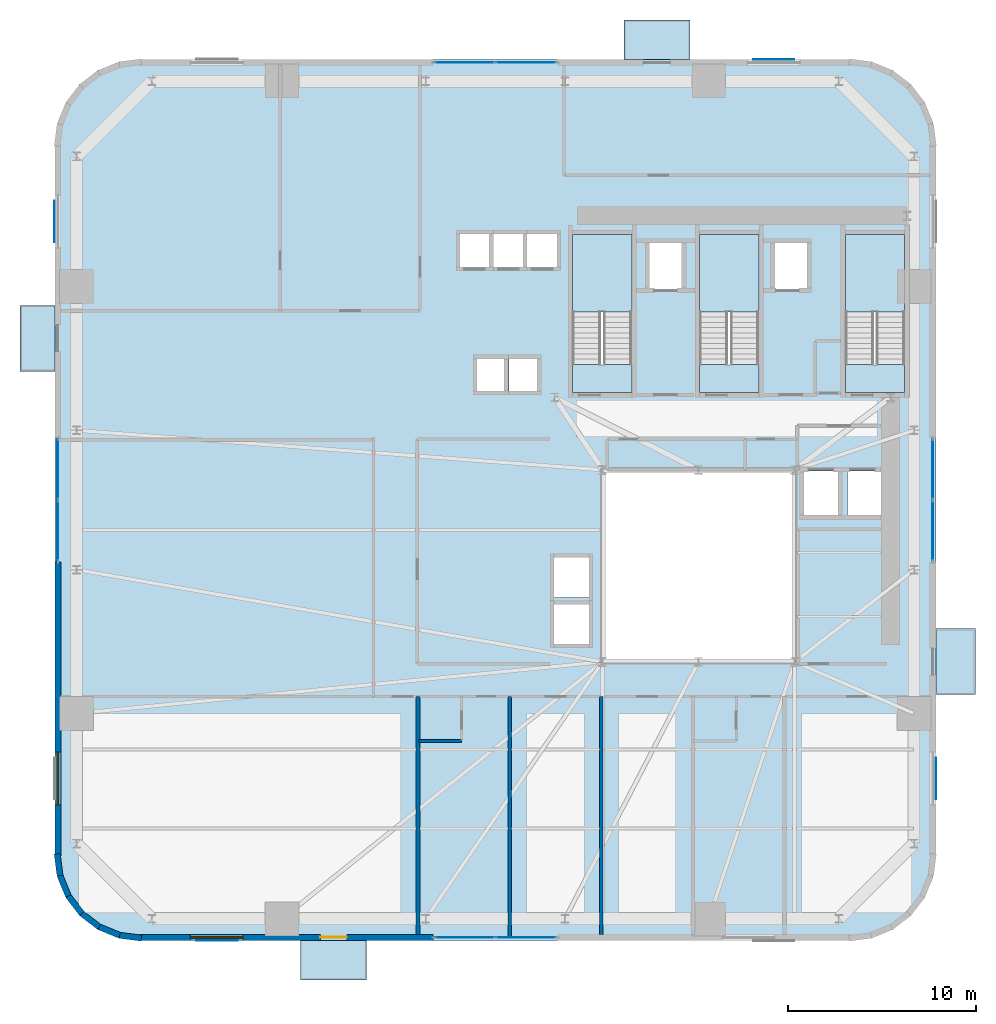
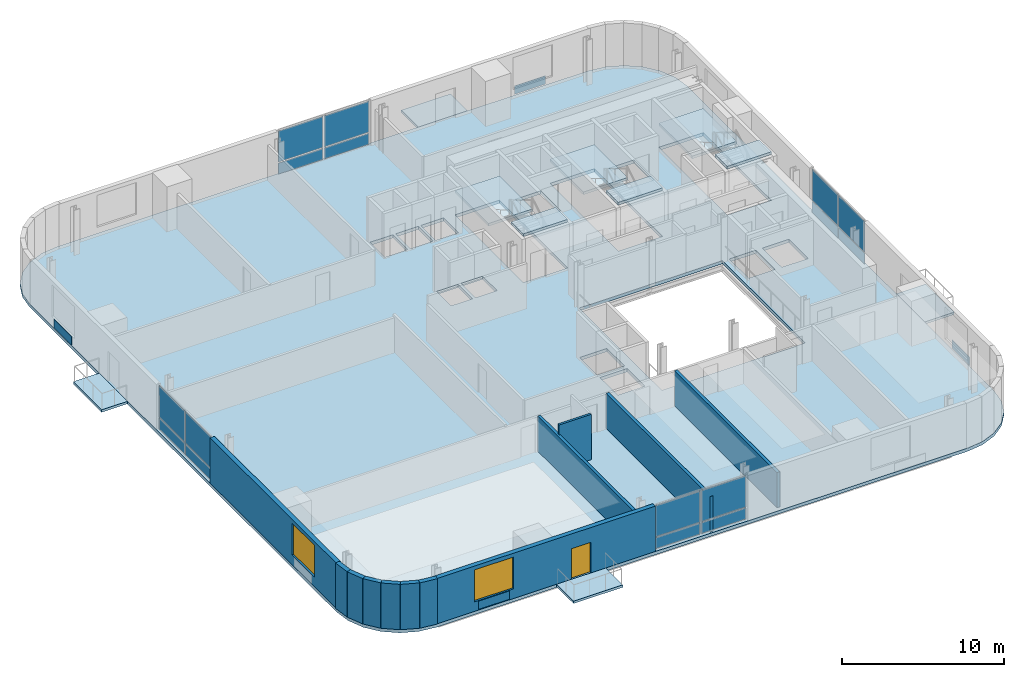
# One storey, part 5 of 13: 20 plates, 12 walls, 11 slabs, 2 windows, 1 door, 3 openings, 7 elements without a shape of their own.
"""IFC4 building model written with IfcOpenShell, lengths in metres."""

import ifcopenshell
import ifcopenshell.guid

model = None  # the IFC model being written
_history = None  # IfcOwnerHistory: only IFC2X3 demands one
_inside = {}  # id of a spatial element -> (the spatial element, [elements in it])
_under = {}  # id of a project, library or spatial element -> (it, [spatial elements below it])
_declared = {}  # id of a project -> (the project, [libraries it declares])
_typed = {}  # id of a type object -> (the type object, [elements of that type])
_made_of = {}  # id of a material, layer set ... -> (it, [elements and type objects made of it])


def new_model(schema):
    """Start an empty IFC model of exactly this schema.

    Asked for "IFC4X3", IfcOpenShell would pick the latest addendum, in which some entities
    have other attributes; the version numbers below select the first issue.
    IFC2X3 requires an IfcOwnerHistory on every rooted entity: one is made here for all.
    """
    global model, _history
    if schema == "IFC4X3":
        model = ifcopenshell.file(schema_version=(4, 3, 0, 0))
    else:
        model = ifcopenshell.file(schema=schema)
    _inside.clear()
    _under.clear()
    _declared.clear()
    _typed.clear()
    _made_of.clear()
    _history = None
    if model.schema == "IFC2X3":
        org = make("IfcOrganization", Name="unknown")
        user = make(
            "IfcPersonAndOrganization",
            ThePerson=make("IfcPerson", FamilyName="unknown"),
            TheOrganization=org,
        )
        app = make(
            "IfcApplication",
            ApplicationDeveloper=org,
            Version="unknown",
            ApplicationFullName="unknown",
            ApplicationIdentifier="unknown",
        )
        _history = make(
            "IfcOwnerHistory",
            OwningUser=user,
            OwningApplication=app,
            ChangeAction="ADDED",
            CreationDate=0,
        )
    return model


def make(cls, **values):
    """One entity of the class cls with the attributes given. An attribute that is None is left unset."""
    return model.create_entity(
        cls, **{name: value for name, value in values.items() if value is not None}
    )


def rooted(cls, **values):
    """An entity with a GlobalId (a new one), such as an element, a storey or a relation."""
    return make(cls, GlobalId=ifcopenshell.guid.new(), OwnerHistory=_history, **values)


def si_unit(unit_type, name, prefix=None):
    """IfcSIUnit, for example si_unit("LENGTHUNIT", "METRE", prefix="MILLI")."""
    return make("IfcSIUnit", UnitType=unit_type, Prefix=prefix, Name=name)


def assignment(units):
    """IfcUnitAssignment: the units of a project."""
    return None if units is None else make("IfcUnitAssignment", Units=units)


def point(xyz):
    """IfcCartesianPoint."""
    return None if xyz is None else make("IfcCartesianPoint", Coordinates=xyz)


def direction(xyz):
    """IfcDirection."""
    return None if xyz is None else make("IfcDirection", DirectionRatios=xyz)


def frame(location, z_axis=None, x_axis=None):
    """IfcAxis2Placement3D, a coordinate frame: its origin and axes. An axis left out is left unset."""
    return make(
        "IfcAxis2Placement3D",
        Location=point(location),
        Axis=direction(z_axis),
        RefDirection=direction(x_axis),
    )


def frame_2d(location, x_axis=None):
    """IfcAxis2Placement2D, a coordinate frame in the plane: its origin and x axis."""
    return make(
        "IfcAxis2Placement2D", Location=point(location), RefDirection=direction(x_axis)
    )


def origin():
    """The frame at (0, 0, 0) with its axes left unset."""
    return frame((0.0, 0.0, 0.0))


def origin_2d():
    """The frame at (0, 0) in the plane with its x axis left unset."""
    return frame_2d((0.0, 0.0))


def place(relative_to, where):
    """IfcLocalPlacement: puts the frame where relative to a parent placement (None: the world)."""
    return make(
        "IfcLocalPlacement", PlacementRelTo=relative_to, RelativePlacement=where
    )


def context(
    kind, dimensions, precision=None, world=None, true_north=None, identifier=None
):
    """IfcGeometricRepresentationContext, for example the 3D "Model" context."""
    return make(
        "IfcGeometricRepresentationContext",
        ContextIdentifier=identifier,
        ContextType=kind,
        CoordinateSpaceDimension=dimensions,
        Precision=precision,
        WorldCoordinateSystem=world,
        TrueNorth=true_north,
    )


def subcontext(parent, identifier, kind, view, scale=None):
    """IfcGeometricRepresentationSubContext, for example "Body" below "Model"."""
    return make(
        "IfcGeometricRepresentationSubContext",
        ContextIdentifier=identifier,
        ContextType=kind,
        ParentContext=parent,
        TargetScale=scale,
        TargetView=view,
    )


def project(units=None, contexts=None):
    """IfcProject with its units and contexts."""
    return rooted(
        "IfcProject",
        Name="project",
        RepresentationContexts=contexts,
        UnitsInContext=assignment(units),
    )


def spatial(cls, under=None, at=None, **own):
    """A site, building, storey or space (cls), placed at a placement, below another one or the project."""
    s = rooted(cls, ObjectPlacement=at, **own)
    if under is not None:
        _under.setdefault(under.id(), (under, []))[1].append(s)
    return s


def polyline(points):
    """IfcPolyline through the points."""
    return make("IfcPolyline", Points=[point(p) for p in points])


def profile(cls, at=None, kind="AREA", **sizes):
    """A parametric profile (cls). Its sizes go by their IFC names, for example OverallWidth=200.0."""
    return make(cls, ProfileType=kind, Position=at, **sizes)


def rectangle(**sizes):
    """IfcRectangleProfileDef."""
    return profile("IfcRectangleProfileDef", **sizes)


def outline(outer, holes=None, kind="AREA"):
    """IfcArbitraryClosedProfileDef: a profile drawn as a closed curve; with holes, ...WithVoids."""
    if holes is None:
        return make("IfcArbitraryClosedProfileDef", ProfileType=kind, OuterCurve=outer)
    return make(
        "IfcArbitraryProfileDefWithVoids",
        ProfileType=kind,
        OuterCurve=outer,
        InnerCurves=holes,
    )


def extrude(swept, where, along, depth):
    """IfcExtrudedAreaSolid: the profile swept, set in the frame where, extruded along a direction by depth."""
    return make(
        "IfcExtrudedAreaSolid",
        SweptArea=swept,
        Position=where,
        ExtrudedDirection=direction(along),
        Depth=depth,
    )


def shape(context_of_items, identifier, shape_type, items):
    """IfcShapeRepresentation: the items that make up one representation, for example the "Body"."""
    return make(
        "IfcShapeRepresentation",
        ContextOfItems=context_of_items,
        RepresentationIdentifier=identifier,
        RepresentationType=shape_type,
        Items=items,
    )


def source(mapping_origin, context_of_items, identifier, shape_type, items):
    """IfcRepresentationMap: a shape defined once, which mapped items show again and again."""
    return make(
        "IfcRepresentationMap",
        MappingOrigin=mapping_origin,
        MappedRepresentation=shape(context_of_items, identifier, shape_type, items),
    )


def transform(
    local_origin,
    x_axis=None,
    y_axis=None,
    z_axis=None,
    scale=None,
    scale2=None,
    scale3=None,
    uniform=True,
):
    """IfcCartesianTransformationOperator3D, or its non-uniform kind. x_axis, y_axis, z_axis: its Axis1, 2, 3."""
    if uniform:
        return make(
            "IfcCartesianTransformationOperator3D",
            Axis1=direction(x_axis),
            Axis2=direction(y_axis),
            LocalOrigin=point(local_origin),
            Scale=scale,
            Axis3=direction(z_axis),
        )
    return make(
        "IfcCartesianTransformationOperator3DnonUniform",
        Axis1=direction(x_axis),
        Axis2=direction(y_axis),
        LocalOrigin=point(local_origin),
        Scale=scale,
        Axis3=direction(z_axis),
        Scale2=scale2,
        Scale3=scale3,
    )


def mapped(mapping_source, mapping_target):
    """IfcMappedItem: shows the shape of a source again, moved by a transform."""
    return make(
        "IfcMappedItem", MappingSource=mapping_source, MappingTarget=mapping_target
    )


def material(Name=None, Category=None):
    """IfcMaterial."""
    return make("IfcMaterial", Name=Name, Category=Category)


def layer(
    of_material, thickness, ventilated=None, Name=None, Category=None, Priority=None
):
    """IfcMaterialLayer: one layer of a wall or slab, of a material (None: an air gap)."""
    return make(
        "IfcMaterialLayer",
        Material=of_material,
        LayerThickness=thickness,
        IsVentilated=ventilated,
        Name=Name,
        Category=Category,
        Priority=Priority,
    )


def layer_set(layers, Name=None):
    """IfcMaterialLayerSet."""
    return make("IfcMaterialLayerSet", MaterialLayers=layers, LayerSetName=Name)


def made_of(thing, what):
    """Note that an element or type object is made of a material, layer set ...; save() writes the relation."""
    if what is not None:
        _made_of.setdefault(what.id(), (what, []))[1].append(thing)
    return thing


def type_object(cls, material=None, **own):
    """A type object (cls), such as IfcWallType, which elements share."""
    return made_of(rooted(cls, **own), material)


def element(
    cls,
    number,
    at=None,
    inside=None,
    cuts=None,
    type_object=None,
    material=None,
    context=None,
    identifier="Body",
    shape_type=None,
    held_by="IfcProductDefinitionShape",
    body=None,
    shapes=None,
    **own,
):
    """One element of the class cls, such as IfcWall. Its Tag is "e" and its number.

    at: its placement. inside: the storey or other place that contains it. cuts: it is an
    opening in that element (IfcRelVoidsElement). A single representation is given by context,
    identifier, shape_type and body (its items); several are given by shapes. held_by: the class
    of the entity that holds the representations. save() writes the other relations.
    """
    e = rooted(cls, Tag="e%d" % number, ObjectPlacement=at, **own)
    if body is not None:
        shapes = [shape(context, identifier, shape_type, body)]
    if shapes is not None:
        e.Representation = make(held_by, Representations=shapes)
    if inside is not None:
        _inside.setdefault(inside.id(), (inside, []))[1].append(e)
    if cuts is not None:
        rooted(
            "IfcRelVoidsElement", RelatingBuildingElement=cuts, RelatedOpeningElement=e
        )
    if type_object is not None:
        _typed.setdefault(type_object.id(), (type_object, []))[1].append(e)
    return made_of(e, material)


def fill(opening, filler):
    """IfcRelFillsElement: the door or window that sits in an opening."""
    return rooted(
        "IfcRelFillsElement",
        RelatingOpeningElement=opening,
        RelatedBuildingElement=filler,
    )


def aggregate(whole, parts):
    """IfcRelAggregates: a whole, such as a stair, and the parts it consists of."""
    return rooted("IfcRelAggregates", RelatingObject=whole, RelatedObjects=parts)


def save(model, path):
    """Write the relations noted so far, then the file.

    IfcRelAggregates (storeys below a building ...), IfcRelContainedInSpatialStructure (elements
    in a storey), IfcRelDefinesByType, IfcRelAssociatesMaterial and IfcRelDeclares: one each for
    every whole, place, type object, material and project.
    """
    for whole, parts in _under.values():
        aggregate(whole, parts)
    for where, things in _inside.values():
        rooted(
            "IfcRelContainedInSpatialStructure",
            RelatedElements=things,
            RelatingStructure=where,
        )
    for kind, things in _typed.values():
        rooted("IfcRelDefinesByType", RelatedObjects=things, RelatingType=kind)
    for what, things in _made_of.values():
        rooted("IfcRelAssociatesMaterial", RelatedObjects=things, RelatingMaterial=what)
    for by, libraries in _declared.values():
        rooted("IfcRelDeclares", RelatingContext=by, RelatedDefinitions=libraries)
    model.write(path)


model = new_model("IFC4")

# Units and contexts
model_context = context("Model", 3, precision=1e-05, world=origin(), true_north=direction((0.0, 1.0)))
body_context = subcontext(model_context, "Body", "Model", "MODEL_VIEW")
ifc_project = project(units=[si_unit("LENGTHUNIT", "METRE"), si_unit("AREAUNIT", "SQUARE_METRE"), si_unit("VOLUMEUNIT", "CUBIC_METRE"), si_unit("PLANEANGLEUNIT", "RADIAN"), si_unit("MASSUNIT", "GRAM", prefix="KILO")], contexts=[model_context])

# Site, building, storey
site_placement = place(None, origin())
site = spatial("IfcSite", under=ifc_project, at=site_placement, CompositionType="ELEMENT")
building_placement = place(site_placement, origin())
building = spatial("IfcBuilding", under=site, at=building_placement, Name="Vardaveli Station Tower", CompositionType="ELEMENT")
storey_placement = place(building_placement, frame((0.0, 0.0, 49.5)))
storey = spatial("IfcBuildingStorey", under=building, at=storey_placement, Name="L12", CompositionType="ELEMENT", Elevation=49.5)

# Stair, slabs
ifc_material_1 = material(Name="Concrete C40/50", Category="concrete")
stair_type = type_object("IfcStairType", Name="STR-CORE-1500", PredefinedType="HALF_TURN_STAIR", material=ifc_material_1)
stair_1_placement = place(storey_placement, origin())
stair_1 = element("IfcStair", 1, at=stair_1_placement, inside=storey, type_object=stair_type, Name="L12 ST-1", PredefinedType="HALF_TURN_STAIR")
ifc_layer_1 = layer(ifc_material_1, 0.199951171875, Name="Concrete C40/50")
ifc_layer_set_1 = layer_set([ifc_layer_1], Name="Concrete C40/50")
slab_type_1 = type_object("IfcSlabType", Name="SLB-LAND-200", PredefinedType="LANDING", material=ifc_layer_set_1)
slab_1_placement = place(storey_placement, frame((0.0, 0.0, 1.625)))
slab_1 = element("IfcSlab", 2, at=slab_1_placement, type_object=slab_type_1, Name="ST-1 landing 1", PredefinedType="LANDING", context=body_context, shape_type="SweptSolid", body=[
    extrude(outline(polyline([(32.75, 35.199951171875), (32.75, 39.300048828125), (29.60009765625, 39.300048828125), (29.60009765625, 35.199951171875), (32.75, 35.199951171875)])), origin(), (0.0, 0.0, 1.0), 0.199951171875),
])
slab_2_placement = place(storey_placement, frame((0.0, 0.0, 3.449951171875)))
slab_2 = element("IfcSlab", 3, at=slab_2_placement, type_object=slab_type_1, Name="ST-1 landing 2", PredefinedType="LANDING", context=body_context, shape_type="SweptSolid", body=[
    extrude(outline(polyline([(32.75, 30.89990234375), (32.75, 32.39990234375), (29.60009765625, 32.39990234375), (29.60009765625, 30.89990234375), (32.75, 30.89990234375)])), origin(), (0.0, 0.0, 1.0), 0.199951171875),
])
aggregate(stair_1, [slab_1, slab_2])

stair_2_placement = place(storey_placement, origin())
stair_2 = element("IfcStair", 4, at=stair_2_placement, inside=storey, type_object=stair_type, Name="L12 ST-2", PredefinedType="HALF_TURN_STAIR")
slab_3_placement = place(storey_placement, frame((0.0, 0.0, 1.625)))
slab_3 = element("IfcSlab", 5, at=slab_3_placement, type_object=slab_type_1, Name="ST-2 landing 1", PredefinedType="LANDING", context=body_context, shape_type="SweptSolid", body=[
    extrude(outline(polyline([(39.5, 35.199951171875), (39.5, 39.300048828125), (36.35009765625, 39.300048828125), (36.35009765625, 35.199951171875), (39.5, 35.199951171875)])), origin(), (0.0, 0.0, 1.0), 0.199951171875),
])
slab_4_placement = place(storey_placement, frame((0.0, 0.0, 3.449951171875)))
slab_4 = element("IfcSlab", 6, at=slab_4_placement, type_object=slab_type_1, Name="ST-2 landing 2", PredefinedType="LANDING", context=body_context, shape_type="SweptSolid", body=[
    extrude(outline(polyline([(39.5, 30.89990234375), (39.5, 32.39990234375), (36.35009765625, 32.39990234375), (36.35009765625, 30.89990234375), (39.5, 30.89990234375)])), origin(), (0.0, 0.0, 1.0), 0.199951171875),
])
aggregate(stair_2, [slab_3, slab_4])

stair_3_placement = place(storey_placement, origin())
stair_3 = element("IfcStair", 7, at=stair_3_placement, inside=storey, type_object=stair_type, Name="L12 ST-3", PredefinedType="HALF_TURN_STAIR")
slab_5_placement = place(storey_placement, frame((0.0, 0.0, 1.625)))
slab_5 = element("IfcSlab", 8, at=slab_5_placement, type_object=slab_type_1, Name="ST-3 landing 1", PredefinedType="LANDING", context=body_context, shape_type="SweptSolid", body=[
    extrude(outline(polyline([(47.25, 35.199951171875), (47.25, 39.300048828125), (44.10009765625, 39.300048828125), (44.10009765625, 35.199951171875), (47.25, 35.199951171875)])), origin(), (0.0, 0.0, 1.0), 0.199951171875),
])
slab_6_placement = place(storey_placement, frame((0.0, 0.0, 3.449951171875)))
slab_6 = element("IfcSlab", 9, at=slab_6_placement, type_object=slab_type_1, Name="ST-3 landing 2", PredefinedType="LANDING", context=body_context, shape_type="SweptSolid", body=[
    extrude(outline(polyline([(47.25, 30.89990234375), (47.25, 32.39990234375), (44.10009765625, 32.39990234375), (44.10009765625, 30.89990234375), (47.25, 30.89990234375)])), origin(), (0.0, 0.0, 1.0), 0.199951171875),
])
aggregate(stair_3, [slab_5, slab_6])

# Slabs
ifc_material_2 = material(Name="Precast concrete C45/55", Category="concrete")
ifc_layer_2 = layer(ifc_material_2, 0.179931640625, Name="Precast concrete C45/55")
ifc_layer_set_2 = layer_set([ifc_layer_2], Name="Precast concrete C45/55")
slab_type_2 = type_object("IfcSlabType", Name="SLB-LOGGIA-180", PredefinedType="FLOOR", material=ifc_layer_set_2)
slab_7_placement = place(storey_placement, frame((0.0, 0.0, -0.179931640625)))
element("IfcSlab", 10, at=slab_7_placement, inside=storey, type_object=slab_type_2, Name="LOG-L12-S", PredefinedType="FLOOR", context=body_context, shape_type="SweptSolid", body=[
    extrude(outline(polyline([(15.160400390625, -0.300048828125), (18.660400390625, -0.300048828125), (18.660400390625, 1.800048828125), (15.160400390625, 1.800048828125), (15.160400390625, -0.300048828125)])), origin(), (0.0, 0.0, 1.0), 0.179931640625),
])
slab_8_placement = place(storey_placement, frame((0.0, 0.0, -0.179931640625)))
element("IfcSlab", 11, at=slab_8_placement, inside=storey, type_object=slab_type_2, Name="LOG-L12-N", PredefinedType="FLOOR", context=body_context, shape_type="SweptSolid", body=[
    extrude(outline(polyline([(32.339599609375, 48.60009765625), (35.839599609375, 48.60009765625), (35.839599609375, 50.699951171875), (32.339599609375, 50.699951171875), (32.339599609375, 48.60009765625)])), origin(), (0.0, 0.0, 1.0), 0.179931640625),
])
slab_9_placement = place(storey_placement, frame((0.0, 0.0, -0.179931640625)))
element("IfcSlab", 12, at=slab_9_placement, inside=storey, type_object=slab_type_2, Name="LOG-L12-W", PredefinedType="FLOOR", context=body_context, shape_type="SweptSolid", body=[
    extrude(outline(polyline([(0.25, 32.03955078125), (2.10009765625, 32.03955078125), (2.10009765625, 35.53955078125), (0.25, 35.53955078125), (0.25, 32.03955078125)])), origin(), (0.0, 0.0, 1.0), 0.179931640625),
])
slab_10_placement = place(storey_placement, frame((0.0, 0.0, -0.179931640625)))
element("IfcSlab", 13, at=slab_10_placement, inside=storey, type_object=slab_type_2, Name="LOG-L12-E", PredefinedType="FLOOR", context=body_context, shape_type="SweptSolid", body=[
    extrude(outline(polyline([(48.89990234375, 14.8603515625), (51.0, 14.8603515625), (51.0, 18.3603515625), (48.89990234375, 18.3603515625), (48.89990234375, 14.8603515625)])), origin(), (0.0, 0.0, 1.0), 0.179931640625),
])
ifc_layer_3 = layer(ifc_material_1, 0.239990234375, Name="Concrete C40/50")
ifc_layer_set_3 = layer_set([ifc_layer_3], Name="Concrete C40/50")
slab_type_3 = type_object("IfcSlabType", Name="SLB-TOW-240", PredefinedType="FLOOR", material=ifc_layer_set_3)
slab_11_placement = place(storey_placement, frame((0.0, 0.0, -0.239990234375)))
element("IfcSlab", 14, at=slab_11_placement, inside=storey, type_object=slab_type_3, Name="SLB-L12-MAIN", PredefinedType="FLOOR", context=body_context, shape_type="SweptSolid", body=[
    extrude(outline(polyline([(2.10009765625, 6.300048828125), (2.25341796875, 5.13525390625), (2.702880859375, 4.050048828125), (3.41796875, 3.117919921875), (4.35009765625, 2.40283203125), (5.435302734375, 1.953369140625), (6.60009765625, 1.800048828125), (44.39990234375, 1.800048828125), (45.564697265625, 1.953369140625), (46.64990234375, 2.40283203125), (47.58203125, 3.117919921875), (48.297119140625, 4.050048828125), (48.74658203125, 5.13525390625), (48.89990234375, 6.300048828125), (48.89990234375, 44.10009765625), (48.74658203125, 45.2646484375), (48.297119140625, 46.35009765625), (47.58203125, 47.281982421875), (46.64990234375, 47.9970703125), (45.564697265625, 48.44677734375), (44.39990234375, 48.60009765625), (6.60009765625, 48.60009765625), (5.435302734375, 48.44677734375), (4.35009765625, 47.9970703125), (3.41796875, 47.281982421875), (2.702880859375, 46.35009765625), (2.25341796875, 45.2646484375), (2.10009765625, 44.10009765625), (2.10009765625, 6.300048828125)]), holes=[polyline([(31.199951171875, 16.60009765625), (41.39990234375, 16.60009765625), (41.39990234375, 26.800048828125), (31.199951171875, 26.800048828125), (31.199951171875, 16.60009765625)]), polyline([(32.75, 30.89990234375), (32.75, 39.300048828125), (29.60009765625, 39.300048828125), (29.60009765625, 30.89990234375), (32.75, 30.89990234375)]), polyline([(39.5, 30.89990234375), (39.5, 39.300048828125), (36.35009765625, 39.300048828125), (36.35009765625, 30.89990234375), (39.5, 30.89990234375)]), polyline([(47.25, 30.89990234375), (47.25, 39.300048828125), (44.10009765625, 39.300048828125), (44.10009765625, 30.89990234375), (47.25, 30.89990234375)]), polyline([(23.5849609375, 37.534912109375), (25.215087890625, 37.534912109375), (25.215087890625, 39.364990234375), (23.5849609375, 39.364990234375), (23.5849609375, 37.534912109375)]), polyline([(25.385009765625, 37.534912109375), (27.014892578125, 37.534912109375), (27.014892578125, 39.364990234375), (25.385009765625, 39.364990234375), (25.385009765625, 37.534912109375)]), polyline([(27.18505859375, 37.534912109375), (28.81494140625, 37.534912109375), (28.81494140625, 39.364990234375), (27.18505859375, 39.364990234375), (27.18505859375, 37.534912109375)]), polyline([(33.659912109375, 36.409912109375), (35.43994140625, 36.409912109375), (35.43994140625, 38.889892578125), (33.659912109375, 38.889892578125), (33.659912109375, 36.409912109375)]), polyline([(40.31005859375, 36.409912109375), (42.090087890625, 36.409912109375), (42.090087890625, 38.889892578125), (40.31005859375, 38.889892578125), (40.31005859375, 36.409912109375)]), polyline([(24.485107421875, 30.9599609375), (26.014892578125, 30.9599609375), (26.014892578125, 32.739990234375), (24.485107421875, 32.739990234375), (24.485107421875, 30.9599609375)]), polyline([(26.235107421875, 30.9599609375), (27.764892578125, 30.9599609375), (27.764892578125, 32.739990234375), (26.235107421875, 32.739990234375), (26.235107421875, 30.9599609375)]), polyline([(28.5849609375, 17.510009765625), (30.514892578125, 17.510009765625), (30.514892578125, 19.68994140625), (28.5849609375, 19.68994140625), (28.5849609375, 17.510009765625)]), polyline([(28.5849609375, 20.010009765625), (30.514892578125, 20.010009765625), (30.514892578125, 22.18994140625), (28.5849609375, 22.18994140625), (28.5849609375, 20.010009765625)]), polyline([(41.860107421875, 24.360107421875), (43.739990234375, 24.360107421875), (43.739990234375, 26.739990234375), (41.860107421875, 26.739990234375), (41.860107421875, 24.360107421875)]), polyline([(44.2099609375, 24.360107421875), (46.090087890625, 24.360107421875), (46.090087890625, 26.739990234375), (44.2099609375, 26.739990234375), (44.2099609375, 24.360107421875)])]), origin(), (0.0, 0.0, 1.0), 0.239990234375),
])

# Curtain wall, plates
ifc_material_3 = material(Name="Travertine stone and solar-control glass", Category="masonry")
curtain_wall_type = type_object("IfcCurtainWallType", Name="CW-SYS-2", PredefinedType="NOTDEFINED", material=ifc_material_3)
curtain_wall_1_placement = place(storey_placement, origin())
curtain_wall_1 = element("IfcCurtainWall", 15, at=curtain_wall_1_placement, inside=storey, type_object=curtain_wall_type, Name="CW-L12-S", PredefinedType="NOTDEFINED")
ifc_material_4 = material(Name="Double-glazed low-E solar-control glass", Category="glass")
ifc_layer_4 = layer(ifc_material_4, 0.035888671875, Name="Double-glazed low-E solar-control glass")
ifc_layer_set_4 = layer_set([ifc_layer_4], Name="Double-glazed low-E solar-control glass")
plate_type_1 = type_object("IfcPlateType", Name="CW-SYS-2-PAN", PredefinedType="CURTAIN_PANEL", material=ifc_layer_set_4)
shared_shape_1 = source(origin(), body_context, "Body", "SweptSolid", [
    extrude(rectangle(XDim=3.172607421875, YDim=0.035888671875, at=origin_2d()), origin(), (0.0, 0.0, 1.0), 0.822509765625),
])
plate_1_placement = place(storey_placement, frame((23.871337890625, 1.9599609375, 0.0849609375), z_axis=(0.0, 0.0, 1.0), x_axis=(1.0, 0.0, 0.0)))
plate_1 = element("IfcPlate", 16, at=plate_1_placement, type_object=plate_type_1, Name="CW-2 panel 1.1", PredefinedType="CURTAIN_PANEL", context=body_context, shape_type="MappedRepresentation", body=[
    mapped(shared_shape_1, transform((0.0, 0.0, 0.0), scale=1.0)),
])
plate_2_placement = place(storey_placement, frame((27.128662109375, 1.9599609375, 0.0849609375), z_axis=(0.0, 0.0, 1.0), x_axis=(1.0, 0.0, 0.0)))
plate_2 = element("IfcPlate", 17, at=plate_2_placement, type_object=plate_type_1, Name="CW-2 panel 2.1", PredefinedType="CURTAIN_PANEL", context=body_context, shape_type="MappedRepresentation", body=[
    mapped(shared_shape_1, transform((0.0, 0.0, 0.0), scale=1.0)),
])

curtain_wall_2_placement = place(storey_placement, origin())
curtain_wall_2 = element("IfcCurtainWall", 18, at=curtain_wall_2_placement, inside=storey, type_object=curtain_wall_type, Name="CW-L12-N", PredefinedType="NOTDEFINED")
plate_3_placement = place(storey_placement, frame((27.128662109375, 48.43994140625, 0.0849609375), z_axis=(0.0, 0.0, 1.0), x_axis=(-1.0, 0.0, 0.0)))
plate_3 = element("IfcPlate", 19, at=plate_3_placement, type_object=plate_type_1, Name="CW-2 panel 1.1", PredefinedType="CURTAIN_PANEL", context=body_context, shape_type="MappedRepresentation", body=[
    mapped(shared_shape_1, transform((0.0, 0.0, 0.0), scale=1.0)),
])
plate_4_placement = place(storey_placement, frame((23.871337890625, 48.43994140625, 0.0849609375), z_axis=(0.0, 0.0, 1.0), x_axis=(-1.0, 0.0, 0.0)))
plate_4 = element("IfcPlate", 20, at=plate_4_placement, type_object=plate_type_1, Name="CW-2 panel 2.1", PredefinedType="CURTAIN_PANEL", context=body_context, shape_type="MappedRepresentation", body=[
    mapped(shared_shape_1, transform((0.0, 0.0, 0.0), scale=1.0)),
])

curtain_wall_3_placement = place(storey_placement, origin())
curtain_wall_3 = element("IfcCurtainWall", 21, at=curtain_wall_3_placement, inside=storey, type_object=curtain_wall_type, Name="CW-L12-W", PredefinedType="NOTDEFINED")
plate_5_placement = place(storey_placement, frame((2.260009765625, 26.828857421875, 0.0849609375), z_axis=(0.0, 0.0, 1.0), x_axis=(0.0, -1.0, 0.0)))
plate_5 = element("IfcPlate", 22, at=plate_5_placement, type_object=plate_type_1, Name="CW-2 panel 1.1", PredefinedType="CURTAIN_PANEL", context=body_context, shape_type="MappedRepresentation", body=[
    mapped(shared_shape_1, transform((0.0, 0.0, 0.0), scale=1.0)),
])
plate_6_placement = place(storey_placement, frame((2.260009765625, 23.5712890625, 0.0849609375), z_axis=(0.0, 0.0, 1.0), x_axis=(0.0, -1.0, 0.0)))
plate_6 = element("IfcPlate", 23, at=plate_6_placement, type_object=plate_type_1, Name="CW-2 panel 2.1", PredefinedType="CURTAIN_PANEL", context=body_context, shape_type="MappedRepresentation", body=[
    mapped(shared_shape_1, transform((0.0, 0.0, 0.0), scale=1.0)),
])

curtain_wall_4_placement = place(storey_placement, origin())
curtain_wall_4 = element("IfcCurtainWall", 24, at=curtain_wall_4_placement, inside=storey, type_object=curtain_wall_type, Name="CW-L12-E", PredefinedType="NOTDEFINED")
plate_7_placement = place(storey_placement, frame((48.739990234375, 23.5712890625, 0.0849609375), z_axis=(0.0, 0.0, 1.0), x_axis=(0.0, 1.0, 0.0)))
plate_7 = element("IfcPlate", 25, at=plate_7_placement, type_object=plate_type_1, Name="CW-2 panel 1.1", PredefinedType="CURTAIN_PANEL", context=body_context, shape_type="MappedRepresentation", body=[
    mapped(shared_shape_1, transform((0.0, 0.0, 0.0), scale=1.0)),
])
plate_8_placement = place(storey_placement, frame((48.739990234375, 26.828857421875, 0.0849609375), z_axis=(0.0, 0.0, 1.0), x_axis=(0.0, 1.0, 0.0)))
plate_8 = element("IfcPlate", 26, at=plate_8_placement, type_object=plate_type_1, Name="CW-2 panel 2.1", PredefinedType="CURTAIN_PANEL", context=body_context, shape_type="MappedRepresentation", body=[
    mapped(shared_shape_1, transform((0.0, 0.0, 0.0), scale=1.0)),
])

# Plate
shared_shape_2 = source(origin(), body_context, "Body", "SweptSolid", [
    extrude(rectangle(XDim=3.172607421875, YDim=0.035888671875, at=origin_2d()), origin(), (0.0, 0.0, 1.0), 2.33251953125),
])
plate_9_placement = place(storey_placement, frame((23.871337890625, 1.9599609375, 0.992431640625), z_axis=(0.0, 0.0, 1.0), x_axis=(1.0, 0.0, 0.0)))
plate_9 = element("IfcPlate", 27, at=plate_9_placement, type_object=plate_type_1, Name="CW-2 panel 1.2", PredefinedType="CURTAIN_PANEL", context=body_context, shape_type="MappedRepresentation", body=[
    mapped(shared_shape_2, transform((0.0, 0.0, 0.0), scale=1.0)),
])

plate_10_placement = place(storey_placement, frame((27.128662109375, 1.9599609375, 0.992431640625), z_axis=(0.0, 0.0, 1.0), x_axis=(1.0, 0.0, 0.0)))
plate_10 = element("IfcPlate", 28, at=plate_10_placement, type_object=plate_type_1, Name="CW-2 panel 2.2", PredefinedType="CURTAIN_PANEL", context=body_context, shape_type="MappedRepresentation", body=[
    mapped(shared_shape_2, transform((0.0, 0.0, 0.0), scale=1.0)),
])

aggregate(curtain_wall_1, [plate_1, plate_9, plate_2, plate_10])

plate_11_placement = place(storey_placement, frame((27.128662109375, 48.43994140625, 0.992431640625), z_axis=(0.0, 0.0, 1.0), x_axis=(-1.0, 0.0, 0.0)))
plate_11 = element("IfcPlate", 29, at=plate_11_placement, type_object=plate_type_1, Name="CW-2 panel 1.2", PredefinedType="CURTAIN_PANEL", context=body_context, shape_type="MappedRepresentation", body=[
    mapped(shared_shape_2, transform((0.0, 0.0, 0.0), scale=1.0)),
])

plate_12_placement = place(storey_placement, frame((23.871337890625, 48.43994140625, 0.992431640625), z_axis=(0.0, 0.0, 1.0), x_axis=(-1.0, 0.0, 0.0)))
plate_12 = element("IfcPlate", 30, at=plate_12_placement, type_object=plate_type_1, Name="CW-2 panel 2.2", PredefinedType="CURTAIN_PANEL", context=body_context, shape_type="MappedRepresentation", body=[
    mapped(shared_shape_2, transform((0.0, 0.0, 0.0), scale=1.0)),
])

aggregate(curtain_wall_2, [plate_3, plate_11, plate_4, plate_12])

plate_13_placement = place(storey_placement, frame((2.260009765625, 26.828857421875, 0.992431640625), z_axis=(0.0, 0.0, 1.0), x_axis=(0.0, -1.0, 0.0)))
plate_13 = element("IfcPlate", 31, at=plate_13_placement, type_object=plate_type_1, Name="CW-2 panel 1.2", PredefinedType="CURTAIN_PANEL", context=body_context, shape_type="MappedRepresentation", body=[
    mapped(shared_shape_2, transform((0.0, 0.0, 0.0), scale=1.0)),
])

plate_14_placement = place(storey_placement, frame((2.260009765625, 23.5712890625, 0.992431640625), z_axis=(0.0, 0.0, 1.0), x_axis=(0.0, -1.0, 0.0)))
plate_14 = element("IfcPlate", 32, at=plate_14_placement, type_object=plate_type_1, Name="CW-2 panel 2.2", PredefinedType="CURTAIN_PANEL", context=body_context, shape_type="MappedRepresentation", body=[
    mapped(shared_shape_2, transform((0.0, 0.0, 0.0), scale=1.0)),
])

aggregate(curtain_wall_3, [plate_5, plate_13, plate_6, plate_14])

plate_15_placement = place(storey_placement, frame((48.739990234375, 23.5712890625, 0.992431640625), z_axis=(0.0, 0.0, 1.0), x_axis=(0.0, 1.0, 0.0)))
plate_15 = element("IfcPlate", 33, at=plate_15_placement, type_object=plate_type_1, Name="CW-2 panel 1.2", PredefinedType="CURTAIN_PANEL", context=body_context, shape_type="MappedRepresentation", body=[
    mapped(shared_shape_2, transform((0.0, 0.0, 0.0), scale=1.0)),
])

plate_16_placement = place(storey_placement, frame((48.739990234375, 26.828857421875, 0.992431640625), z_axis=(0.0, 0.0, 1.0), x_axis=(0.0, 1.0, 0.0)))
plate_16 = element("IfcPlate", 34, at=plate_16_placement, type_object=plate_type_1, Name="CW-2 panel 2.2", PredefinedType="CURTAIN_PANEL", context=body_context, shape_type="MappedRepresentation", body=[
    mapped(shared_shape_2, transform((0.0, 0.0, 0.0), scale=1.0)),
])

aggregate(curtain_wall_4, [plate_7, plate_15, plate_8, plate_16])

# Plates
ifc_material_5 = material(Name="Honed Caucasian travertine stone", Category="masonry")
ifc_layer_5 = layer(ifc_material_5, 0.034912109375, Name="Honed Caucasian travertine stone")
ifc_layer_set_5 = layer_set([ifc_layer_5], Name="Honed Caucasian travertine stone")
plate_type_2 = type_object("IfcPlateType", Name="PLT-TRAV-35", PredefinedType="SHEET", material=ifc_layer_set_5)
shared_shape_3 = source(origin(), body_context, "Body", "SweptSolid", [
    extrude(rectangle(XDim=2.199951171875, YDim=0.034912109375, at=origin_2d()), origin(), (0.0, 0.0, 1.0), 0.6201171875),
])
for number, where, z_axis, x_axis, name in (
    (35, (10.705078125, 1.79052734375, 0.06982421875), (0.0, 0.0, 1.0), (1.0, 0.0, 0.0), "PLT-TR-L12-S"),
    (36, (40.294921875, 48.609619140625, 0.06982421875), (0.0, 0.0, 1.0), (1.0, 0.0, 0.0), "PLT-TR-L12-N"),
    (37, (2.090576171875, 39.9951171875, 0.06982421875), (0.0, 0.0, 1.0), (0.0, 1.0, 0.0), "PLT-TR-L12-W"),
    (38, (48.909423828125, 10.405029296875, 0.06982421875), (0.0, 0.0, 1.0), (0.0, 1.0, 0.0), "PLT-TR-L12-E"),
):
    element("IfcPlate", number, at=place(storey_placement, frame(where, z_axis=z_axis, x_axis=x_axis)), inside=storey, type_object=plate_type_2, Name=name, PredefinedType="SHEET", context=body_context, shape_type="MappedRepresentation", body=[
        mapped(shared_shape_3, transform((0.0, 0.0, 0.0), scale=1.0)),
    ])

# Wall, openings, door, window
ifc_layer_6 = layer(ifc_material_2, 0.320068359375, Name="Precast concrete C45/55")
ifc_layer_set_6 = layer_set([ifc_layer_6], Name="Precast concrete C45/55")
wall_type_1 = type_object("IfcWallType", Name="WAL-EXT-STONE-320", PredefinedType="SOLIDWALL", material=ifc_layer_set_6)
shared_shape_4 = source(origin(), body_context, "Body", "SweptSolid", [
    extrude(rectangle(XDim=15.599853515625, YDim=0.320068359375, at=frame_2d((7.7998046875, 0.0))), origin(), (0.0, 0.0, 1.0), 3.409912109375),
])
wall_1_placement = place(storey_placement, frame((6.60009765625, 1.9599609375, 0.0), z_axis=(0.0, 0.0, 1.0), x_axis=(1.0, 0.0, 0.0)))
wall_1 = element("IfcWall", 39, at=wall_1_placement, inside=storey, type_object=wall_type_1, Name="EW-L12-S1", PredefinedType="SOLIDWALL", context=body_context, shape_type="MappedRepresentation", body=[
    mapped(shared_shape_4, transform((0.0, 0.0, 0.0), scale=1.0)),
])
shared_shape_5 = source(origin(), body_context, "Body", "SweptSolid", [
    extrude(rectangle(XDim=1.39990234375, YDim=2.300048828125, at=frame_2d((0.699951171875, 1.14990234375))), frame((0.0, 0.169921875, 0.0), z_axis=(0.0, -1.0, 0.0), x_axis=(1.0, 0.0, 0.0)), (0.0, 0.0, 1.0), 0.340087890625),
])
opening_1_placement = place(wall_1_placement, frame((9.6103515625, 0.0, 0.0)))
opening_1 = element("IfcOpeningElement", 40, at=opening_1_placement, cuts=wall_1, Name="Opening D-09", PredefinedType="OPENING", context=body_context, shape_type="MappedRepresentation", body=[
    mapped(shared_shape_5, transform((0.0, 0.0, 0.0), scale=1.0)),
])
shared_shape_6 = source(origin(), body_context, "Body", "SweptSolid", [
    extrude(rectangle(XDim=2.800048828125, YDim=2.39990234375, at=frame_2d((1.39990234375, 1.199951171875))), frame((0.0, 0.169921875, 0.0), z_axis=(0.0, -1.0, 0.0), x_axis=(1.0, 0.0, 0.0)), (0.0, 0.0, 1.0), 0.340087890625),
])
opening_2_placement = place(wall_1_placement, frame((2.705078125, 0.0, 0.719970703125)))
opening_2 = element("IfcOpeningElement", 41, at=opening_2_placement, cuts=wall_1, Name="Opening W-04", PredefinedType="OPENING", context=body_context, shape_type="MappedRepresentation", body=[
    mapped(shared_shape_6, transform((0.0, 0.0, 0.0), scale=1.0)),
])
ifc_material_6 = material(Name="Thermally broken aluminium glass", Category="aluminium")
door_type = type_object("IfcDoorType", Name="DR-LOG-1400x2300", OperationType="DOUBLE_DOOR_SLIDING", PredefinedType="DOOR", material=ifc_material_6)
shared_shape_7 = source(origin(), body_context, "Body", "SweptSolid", [
    extrude(rectangle(XDim=1.39990234375, YDim=2.300048828125, at=frame_2d((0.699951171875, 1.14990234375))), frame((0.0, 0.02490234375, 0.0), z_axis=(0.0, -1.0, 0.0), x_axis=(1.0, 0.0, 0.0)), (0.0, 0.0, 1.0), 0.050048828125),
])
door_placement = place(opening_1_placement, frame((1.39990234375, 0.0, 0.0), z_axis=(0.0, 0.0, 1.0), x_axis=(-1.0, 0.0, 0.0)))
door = element("IfcDoor", 42, at=door_placement, inside=storey, type_object=door_type, Name="DLG-L12-S", OperationType="DOUBLE_DOOR_SLIDING", OverallHeight=2.300048828125, OverallWidth=1.39990234375, PredefinedType="DOOR", context=body_context, shape_type="MappedRepresentation", body=[
    mapped(shared_shape_7, transform((0.0, 0.0, 0.0), scale=1.0)),
])
fill(opening_1, door)
ifc_material_7 = material(Name="Low-E solar-control glass", Category="glass")
window_type = type_object("IfcWindowType", Name="WIN-SUITE-2800x2400", PartitioningType="SINGLE_PANEL", PredefinedType="WINDOW", material=ifc_material_7)
shared_shape_8 = source(origin(), body_context, "Body", "SweptSolid", [
    extrude(rectangle(XDim=2.800048828125, YDim=2.39990234375, at=frame_2d((1.39990234375, 1.199951171875))), frame((0.0, 0.030029296875, 0.0), z_axis=(0.0, -1.0, 0.0), x_axis=(1.0, 0.0, 0.0)), (0.0, 0.0, 1.0), 0.06005859375),
])
window_1_placement = place(opening_2_placement, origin())
window_1 = element("IfcWindow", 43, at=window_1_placement, inside=storey, type_object=window_type, Name="WN-L12-S1", OverallHeight=2.39990234375, OverallWidth=2.800048828125, PartitioningType="SINGLE_PANEL", PredefinedType="WINDOW", context=body_context, shape_type="MappedRepresentation", body=[
    mapped(shared_shape_8, transform((0.0, 0.0, 0.0), scale=1.0)),
])
fill(opening_2, window_1)

# Wall, opening, window
wall_2_placement = place(storey_placement, frame((2.260009765625, 21.89990234375, 0.0), z_axis=(0.0, 0.0, 1.0), x_axis=(0.0, -1.0, 0.0)))
wall_2 = element("IfcWall", 44, at=wall_2_placement, inside=storey, type_object=wall_type_1, Name="EW-L12-W2", PredefinedType="SOLIDWALL", context=body_context, shape_type="MappedRepresentation", body=[
    mapped(shared_shape_4, transform((0.0, 0.0, 0.0), scale=1.0)),
])
opening_3_placement = place(wall_2_placement, frame((10.094970703125, 0.0, 0.719970703125)))
opening_3 = element("IfcOpeningElement", 45, at=opening_3_placement, cuts=wall_2, Name="Opening W-04", PredefinedType="OPENING", context=body_context, shape_type="MappedRepresentation", body=[
    mapped(shared_shape_6, transform((0.0, 0.0, 0.0), scale=1.0)),
])
window_2_placement = place(opening_3_placement, origin())
window_2 = element("IfcWindow", 46, at=window_2_placement, inside=storey, type_object=window_type, Name="WN-L12-W2", OverallHeight=2.39990234375, OverallWidth=2.800048828125, PartitioningType="SINGLE_PANEL", PredefinedType="WINDOW", context=body_context, shape_type="MappedRepresentation", body=[
    mapped(shared_shape_8, transform((0.0, 0.0, 0.0), scale=1.0)),
])
fill(opening_3, window_2)

# Walls
shared_shape_9 = source(origin(), body_context, "Body", "SweptSolid", [
    extrude(rectangle(XDim=1.170654296875, YDim=0.320068359375, at=frame_2d((0.58544921875, 0.0))), origin(), (0.0, 0.0, 1.0), 3.409912109375),
])
wall_3_placement = place(storey_placement, frame((2.224365234375, 6.400634765625, 0.0), z_axis=(0.0, 0.0, 1.0), x_axis=(0.128269133229, -0.991739395941, 0.0)))
element("IfcWall", 47, at=wall_3_placement, inside=storey, type_object=wall_type_1, Name="EW-L12-CR1-1", PredefinedType="SOLIDWALL", context=body_context, shape_type="MappedRepresentation", body=[
    mapped(shared_shape_9, transform((0.0, 0.0, 0.0), scale=1.0)),
])
shared_shape_10 = source(origin(), body_context, "Body", "SweptSolid", [
    extrude(rectangle(XDim=1.1689453125, YDim=0.320068359375, at=frame_2d((0.58447265625, 0.0))), origin(), (0.0, 0.0, 1.0), 3.409912109375),
])
for number, where, z_axis, x_axis, name in (
    (48, (2.37451171875, 5.23974609375, 0.0), (0.0, 0.0, 1.0), (0.381127904695, -0.924522320046, 0.0), "EW-L12-CR1-2"),
    (49, (2.820068359375, 4.158935546875, 0.0), (0.0, 0.0, 1.0), (0.608387696831, -0.793639975269, 0.0), "EW-L12-CR1-3"),
):
    element("IfcWall", number, at=place(storey_placement, frame(where, z_axis=z_axis, x_axis=x_axis)), inside=storey, type_object=wall_type_1, Name=name, PredefinedType="SOLIDWALL", context=body_context, shape_type="MappedRepresentation", body=[
        mapped(shared_shape_10, transform((0.0, 0.0, 0.0), scale=1.0)),
    ])
shared_shape_11 = source(origin(), body_context, "Body", "SweptSolid", [
    extrude(rectangle(XDim=1.168701171875, YDim=0.320068359375, at=frame_2d((0.58447265625, 0.0))), origin(), (0.0, 0.0, 1.0), 3.409912109375),
])
wall_4_placement = place(storey_placement, frame((3.53125, 3.231201171875, 0.0), z_axis=(0.0, 0.0, 1.0), x_axis=(0.793663520347, -0.608356981114, 0.0)))
element("IfcWall", 50, at=wall_4_placement, inside=storey, type_object=wall_type_1, Name="EW-L12-CR1-4", PredefinedType="SOLIDWALL", context=body_context, shape_type="MappedRepresentation", body=[
    mapped(shared_shape_11, transform((0.0, 0.0, 0.0), scale=1.0)),
])
shared_shape_12 = source(origin(), body_context, "Body", "SweptSolid", [
    extrude(rectangle(XDim=1.16943359375, YDim=0.320068359375, at=frame_2d((0.584716796875, 0.0))), origin(), (0.0, 0.0, 1.0), 3.409912109375),
])
wall_5_placement = place(storey_placement, frame((4.458740234375, 2.520263671875, 0.0), z_axis=(0.0, 0.0, 1.0), x_axis=(0.924479075121, -0.381232789334, 0.0)))
element("IfcWall", 51, at=wall_5_placement, inside=storey, type_object=wall_type_1, Name="EW-L12-CR1-5", PredefinedType="SOLIDWALL", context=body_context, shape_type="MappedRepresentation", body=[
    mapped(shared_shape_12, transform((0.0, 0.0, 0.0), scale=1.0)),
])
shared_shape_13 = source(origin(), body_context, "Body", "SweptSolid", [
    extrude(rectangle(XDim=1.170166015625, YDim=0.320068359375, at=frame_2d((0.5849609375, 0.0))), origin(), (0.0, 0.0, 1.0), 3.409912109375),
])
wall_6_placement = place(storey_placement, frame((5.539794921875, 2.074462890625, 0.0), z_axis=(0.0, 0.0, 1.0), x_axis=(0.991762485493, -0.128090485085, 0.0)))
element("IfcWall", 52, at=wall_6_placement, inside=storey, type_object=wall_type_1, Name="EW-L12-CR1-6", PredefinedType="SOLIDWALL", context=body_context, shape_type="MappedRepresentation", body=[
    mapped(shared_shape_13, transform((0.0, 0.0, 0.0), scale=1.0)),
])
ifc_material_8 = material(Name="Moisture-resistant stud partition")
ifc_layer_7 = layer(ifc_material_8, 0.14990234375, Name="Moisture-resistant stud partition")
ifc_layer_set_7 = layer_set([ifc_layer_7], Name="Moisture-resistant stud partition")
wall_type_2 = type_object("IfcWallType", Name="WAL-WET-150", PredefinedType="PARTITIONING", material=ifc_layer_set_7)
shared_shape_14 = source(origin(), body_context, "Body", "SweptSolid", [
    extrude(rectangle(XDim=2.2900390625, YDim=0.14990234375, at=frame_2d((1.14501953125, 0.0))), origin(), (0.0, 0.0, 1.0), 3.409912109375),
])
wall_7_placement = place(storey_placement, frame((21.419921875, 12.39990234375, 0.0), z_axis=(0.0, 0.0, 1.0), x_axis=(1.0, 0.0, 0.0)))
element("IfcWall", 53, at=wall_7_placement, inside=storey, type_object=wall_type_2, Name="W-L12-BS2-S", PredefinedType="PARTITIONING", context=body_context, shape_type="MappedRepresentation", body=[
    mapped(shared_shape_14, transform((0.0, 0.0, 0.0), scale=1.0)),
])
ifc_material_9 = material(Name="Acoustic twin-stud gypsum partition")
ifc_layer_8 = layer(ifc_material_9, 0.199951171875, Name="Acoustic twin-stud gypsum partition")
ifc_layer_set_8 = layer_set([ifc_layer_8], Name="Acoustic twin-stud gypsum partition")
wall_type_3 = type_object("IfcWallType", Name="WAL-PARTY-200", PredefinedType="PARTITIONING", material=ifc_layer_set_8)
shared_shape_15 = source(origin(), body_context, "Body", "SweptSolid", [
    extrude(rectangle(XDim=12.637939453125, YDim=0.199951171875, at=frame_2d((6.31884765625, 0.0))), origin(), (0.0, 0.0, 1.0), 2.652099609375),
])
for number, where, z_axis, x_axis, name in (
    (54, (21.39990234375, 2.1220703125, 0.0), (0.0, 0.0, 1.0), (0.0, 1.0, 0.0), "W-L12-PS1"),
    (55, (31.133056640625, 2.1220703125, 0.0), (0.0, 0.0, 1.0), (0.0, 1.0, 0.0), "W-L12-PS3"),
):
    element("IfcWall", number, at=place(storey_placement, frame(where, z_axis=z_axis, x_axis=x_axis)), inside=storey, type_object=wall_type_3, Name=name, PredefinedType="PARTITIONING", context=body_context, shape_type="MappedRepresentation", body=[
        mapped(shared_shape_15, transform((0.0, 0.0, 0.0), scale=1.0)),
    ])
shared_shape_16 = source(origin(), body_context, "Body", "SweptSolid", [
    extrude(rectangle(XDim=12.830078125, YDim=0.199951171875, at=frame_2d((6.4150390625, 0.0))), origin(), (0.0, 0.0, 1.0), 2.652099609375),
])
wall_8_placement = place(storey_placement, frame((26.26708984375, 1.929931640625, 0.0), z_axis=(0.0, 0.0, 1.0), x_axis=(0.0, 1.0, 0.0)))
element("IfcWall", 56, at=wall_8_placement, inside=storey, type_object=wall_type_3, Name="W-L12-PS2", PredefinedType="PARTITIONING", context=body_context, shape_type="MappedRepresentation", body=[
    mapped(shared_shape_16, transform((0.0, 0.0, 0.0), scale=1.0)),
])

save(model, "model.ifc")
